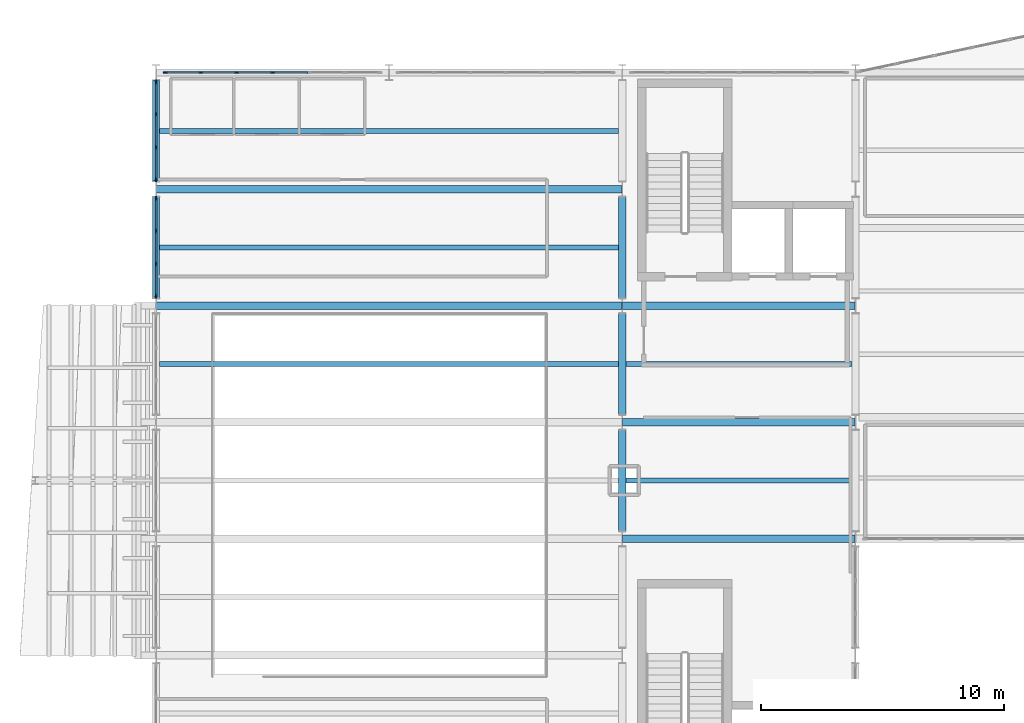
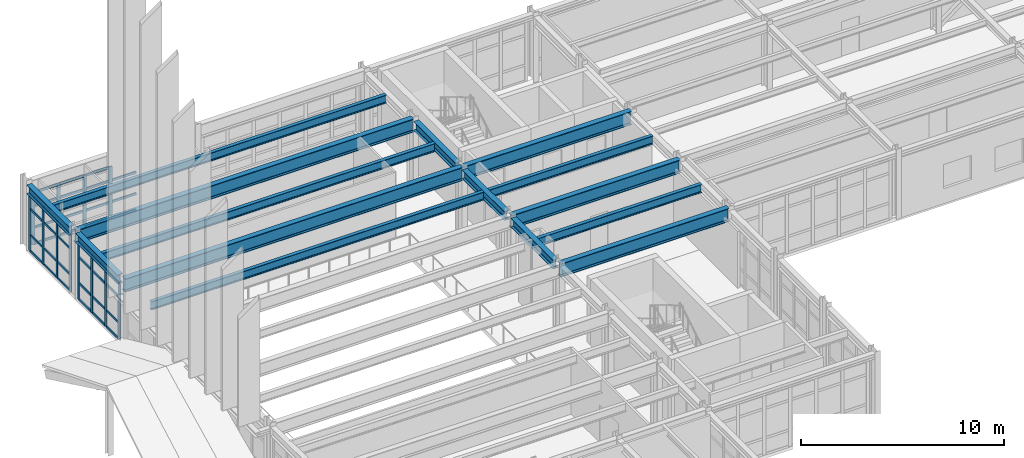
# One storey, part 44 of 99: 51 members, 15 beams, 3 elements without a shape of their own.
"""IFC4 building model written with IfcOpenShell, lengths in metres."""

import ifcopenshell
import ifcopenshell.guid

model = None  # the IFC model being written
_history = None  # IfcOwnerHistory: only IFC2X3 demands one
_inside = {}  # id of a spatial element -> (the spatial element, [elements in it])
_under = {}  # id of a project, library or spatial element -> (it, [spatial elements below it])
_declared = {}  # id of a project -> (the project, [libraries it declares])
_typed = {}  # id of a type object -> (the type object, [elements of that type])
_made_of = {}  # id of a material, layer set ... -> (it, [elements and type objects made of it])


def new_model(schema):
    """Start an empty IFC model of exactly this schema.

    Asked for "IFC4X3", IfcOpenShell would pick the latest addendum, in which some entities
    have other attributes; the version numbers below select the first issue.
    IFC2X3 requires an IfcOwnerHistory on every rooted entity: one is made here for all.
    """
    global model, _history
    if schema == "IFC4X3":
        model = ifcopenshell.file(schema_version=(4, 3, 0, 0))
    else:
        model = ifcopenshell.file(schema=schema)
    _inside.clear()
    _under.clear()
    _declared.clear()
    _typed.clear()
    _made_of.clear()
    _history = None
    if model.schema == "IFC2X3":
        org = make("IfcOrganization", Name="unknown")
        user = make(
            "IfcPersonAndOrganization",
            ThePerson=make("IfcPerson", FamilyName="unknown"),
            TheOrganization=org,
        )
        app = make(
            "IfcApplication",
            ApplicationDeveloper=org,
            Version="unknown",
            ApplicationFullName="unknown",
            ApplicationIdentifier="unknown",
        )
        _history = make(
            "IfcOwnerHistory",
            OwningUser=user,
            OwningApplication=app,
            ChangeAction="ADDED",
            CreationDate=0,
        )
    return model


def make(cls, **values):
    """One entity of the class cls with the attributes given. An attribute that is None is left unset."""
    return model.create_entity(
        cls, **{name: value for name, value in values.items() if value is not None}
    )


def rooted(cls, **values):
    """An entity with a GlobalId (a new one), such as an element, a storey or a relation."""
    return make(cls, GlobalId=ifcopenshell.guid.new(), OwnerHistory=_history, **values)


def si_unit(unit_type, name, prefix=None):
    """IfcSIUnit, for example si_unit("LENGTHUNIT", "METRE", prefix="MILLI")."""
    return make("IfcSIUnit", UnitType=unit_type, Prefix=prefix, Name=name)


def assignment(units):
    """IfcUnitAssignment: the units of a project."""
    return None if units is None else make("IfcUnitAssignment", Units=units)


def point(xyz):
    """IfcCartesianPoint."""
    return None if xyz is None else make("IfcCartesianPoint", Coordinates=xyz)


def direction(xyz):
    """IfcDirection."""
    return None if xyz is None else make("IfcDirection", DirectionRatios=xyz)


def frame(location, z_axis=None, x_axis=None):
    """IfcAxis2Placement3D, a coordinate frame: its origin and axes. An axis left out is left unset."""
    return make(
        "IfcAxis2Placement3D",
        Location=point(location),
        Axis=direction(z_axis),
        RefDirection=direction(x_axis),
    )


def frame_2d(location, x_axis=None):
    """IfcAxis2Placement2D, a coordinate frame in the plane: its origin and x axis."""
    return make(
        "IfcAxis2Placement2D", Location=point(location), RefDirection=direction(x_axis)
    )


def origin():
    """The frame at (0, 0, 0) with its axes left unset."""
    return frame((0.0, 0.0, 0.0))


def origin_2d():
    """The frame at (0, 0) in the plane with its x axis left unset."""
    return frame_2d((0.0, 0.0))


def place(relative_to, where):
    """IfcLocalPlacement: puts the frame where relative to a parent placement (None: the world)."""
    return make(
        "IfcLocalPlacement", PlacementRelTo=relative_to, RelativePlacement=where
    )


def context(
    kind, dimensions, precision=None, world=None, true_north=None, identifier=None
):
    """IfcGeometricRepresentationContext, for example the 3D "Model" context."""
    return make(
        "IfcGeometricRepresentationContext",
        ContextIdentifier=identifier,
        ContextType=kind,
        CoordinateSpaceDimension=dimensions,
        Precision=precision,
        WorldCoordinateSystem=world,
        TrueNorth=true_north,
    )


def subcontext(parent, identifier, kind, view, scale=None):
    """IfcGeometricRepresentationSubContext, for example "Body" below "Model"."""
    return make(
        "IfcGeometricRepresentationSubContext",
        ContextIdentifier=identifier,
        ContextType=kind,
        ParentContext=parent,
        TargetScale=scale,
        TargetView=view,
    )


def project(units=None, contexts=None):
    """IfcProject with its units and contexts."""
    return rooted(
        "IfcProject",
        Name="project",
        RepresentationContexts=contexts,
        UnitsInContext=assignment(units),
    )


def spatial(cls, under=None, at=None, **own):
    """A site, building, storey or space (cls), placed at a placement, below another one or the project."""
    s = rooted(cls, ObjectPlacement=at, **own)
    if under is not None:
        _under.setdefault(under.id(), (under, []))[1].append(s)
    return s


def profile(cls, at=None, kind="AREA", **sizes):
    """A parametric profile (cls). Its sizes go by their IFC names, for example OverallWidth=200.0."""
    return make(cls, ProfileType=kind, Position=at, **sizes)


def rectangle(**sizes):
    """IfcRectangleProfileDef."""
    return profile("IfcRectangleProfileDef", **sizes)


def i_section(**sizes):
    """IfcIShapeProfileDef."""
    return profile("IfcIShapeProfileDef", **sizes)


def extrude(swept, where, along, depth):
    """IfcExtrudedAreaSolid: the profile swept, set in the frame where, extruded along a direction by depth."""
    return make(
        "IfcExtrudedAreaSolid",
        SweptArea=swept,
        Position=where,
        ExtrudedDirection=direction(along),
        Depth=depth,
    )


def shape(context_of_items, identifier, shape_type, items):
    """IfcShapeRepresentation: the items that make up one representation, for example the "Body"."""
    return make(
        "IfcShapeRepresentation",
        ContextOfItems=context_of_items,
        RepresentationIdentifier=identifier,
        RepresentationType=shape_type,
        Items=items,
    )


def material(Name=None, Category=None):
    """IfcMaterial."""
    return make("IfcMaterial", Name=Name, Category=Category)


def layer(
    of_material, thickness, ventilated=None, Name=None, Category=None, Priority=None
):
    """IfcMaterialLayer: one layer of a wall or slab, of a material (None: an air gap)."""
    return make(
        "IfcMaterialLayer",
        Material=of_material,
        LayerThickness=thickness,
        IsVentilated=ventilated,
        Name=Name,
        Category=Category,
        Priority=Priority,
    )


def layer_set(layers, Name=None):
    """IfcMaterialLayerSet."""
    return make("IfcMaterialLayerSet", MaterialLayers=layers, LayerSetName=Name)


def material_profile(
    of_material, cross_section, Name=None, Category=None, Priority=None
):
    """IfcMaterialProfile: a cross section and its material."""
    return make(
        "IfcMaterialProfile",
        Name=Name,
        Material=of_material,
        Profile=cross_section,
        Priority=Priority,
        Category=Category,
    )


def profile_set(profiles, Name=None, composite=None):
    """IfcMaterialProfileSet."""
    return make(
        "IfcMaterialProfileSet",
        Name=Name,
        MaterialProfiles=profiles,
        CompositeProfile=composite,
    )


def made_of(thing, what):
    """Note that an element or type object is made of a material, layer set ...; save() writes the relation."""
    if what is not None:
        _made_of.setdefault(what.id(), (what, []))[1].append(thing)
    return thing


def type_object(cls, material=None, **own):
    """A type object (cls), such as IfcWallType, which elements share."""
    return made_of(rooted(cls, **own), material)


def element(
    cls,
    number,
    at=None,
    inside=None,
    cuts=None,
    type_object=None,
    material=None,
    context=None,
    identifier="Body",
    shape_type=None,
    held_by="IfcProductDefinitionShape",
    body=None,
    shapes=None,
    **own,
):
    """One element of the class cls, such as IfcWall. Its Tag is "e" and its number.

    at: its placement. inside: the storey or other place that contains it. cuts: it is an
    opening in that element (IfcRelVoidsElement). A single representation is given by context,
    identifier, shape_type and body (its items); several are given by shapes. held_by: the class
    of the entity that holds the representations. save() writes the other relations.
    """
    e = rooted(cls, Tag="e%d" % number, ObjectPlacement=at, **own)
    if body is not None:
        shapes = [shape(context, identifier, shape_type, body)]
    if shapes is not None:
        e.Representation = make(held_by, Representations=shapes)
    if inside is not None:
        _inside.setdefault(inside.id(), (inside, []))[1].append(e)
    if cuts is not None:
        rooted(
            "IfcRelVoidsElement", RelatingBuildingElement=cuts, RelatedOpeningElement=e
        )
    if type_object is not None:
        _typed.setdefault(type_object.id(), (type_object, []))[1].append(e)
    return made_of(e, material)


def aggregate(whole, parts):
    """IfcRelAggregates: a whole, such as a stair, and the parts it consists of."""
    return rooted("IfcRelAggregates", RelatingObject=whole, RelatedObjects=parts)


def save(model, path):
    """Write the relations noted so far, then the file.

    IfcRelAggregates (storeys below a building ...), IfcRelContainedInSpatialStructure (elements
    in a storey), IfcRelDefinesByType, IfcRelAssociatesMaterial and IfcRelDeclares: one each for
    every whole, place, type object, material and project.
    """
    for whole, parts in _under.values():
        aggregate(whole, parts)
    for where, things in _inside.values():
        rooted(
            "IfcRelContainedInSpatialStructure",
            RelatedElements=things,
            RelatingStructure=where,
        )
    for kind, things in _typed.values():
        rooted("IfcRelDefinesByType", RelatedObjects=things, RelatingType=kind)
    for what, things in _made_of.values():
        rooted("IfcRelAssociatesMaterial", RelatedObjects=things, RelatingMaterial=what)
    for by, libraries in _declared.values():
        rooted("IfcRelDeclares", RelatingContext=by, RelatedDefinitions=libraries)
    model.write(path)


model = new_model("IFC4")

# Units and contexts
model_context = context("Model", 3, precision=1e-05, world=origin(), true_north=direction((0.0, 1.0)))
body_context = subcontext(model_context, "Body", "Model", "MODEL_VIEW")
ifc_project = project(units=[si_unit("LENGTHUNIT", "METRE"), si_unit("AREAUNIT", "SQUARE_METRE"), si_unit("VOLUMEUNIT", "CUBIC_METRE"), si_unit("PLANEANGLEUNIT", "RADIAN"), si_unit("MASSUNIT", "GRAM", prefix="KILO")], contexts=[model_context])

# Site, building, storey
site_placement = place(None, origin())
site = spatial("IfcSite", under=ifc_project, at=site_placement, CompositionType="ELEMENT")
building_placement = place(site_placement, origin())
building = spatial("IfcBuilding", under=site, at=building_placement, Name="Nordkorset Police Headquarters", CompositionType="ELEMENT")
storey_placement = place(building_placement, frame((0.0, 0.0, 5.25)))
storey = spatial("IfcBuildingStorey", under=building, at=storey_placement, Name="L01", CompositionType="ELEMENT", Elevation=5.25)

# Beams
ifc_material_1 = material(Name="Steel S355J2", Category="steel")
ifc_material_profile_1 = material_profile(ifc_material_1, i_section(OverallWidth=0.199951171875, OverallDepth=0.5, WebThickness=0.01025390625, FlangeThickness=0.01611328125, FilletRadius=0.02099609375, at=origin_2d()), Name="IPE 500")
ifc_profile_set_1 = profile_set([ifc_material_profile_1], Name="Steel S355J2")
beam_type_1 = type_object("IfcBeamType", Name="Beam_IPE_500", PredefinedType="BEAM", material=ifc_profile_set_1)
for number, where, z_axis, x_axis, name in (
    (1, (0.14990234375, 104.800048828125, 3.7099609375), (1.0, 0.0, 0.0), (0.0, 1.0, 0.0), "Composite Floor Beam V1 L01 0-4-1"),
    (2, (0.14990234375, 109.60009765625, 3.7099609375), (1.0, 0.0, 0.0), (0.0, 1.0, 0.0), "Composite Floor Beam V1 L01 0-5-1"),
    (3, (0.14990234375, 114.39990234375, 3.7099609375), (1.0, 0.0, 0.0), (0.0, 1.0, 0.0), "Composite Floor Beam V1 L01 0-6-1"),
):
    element("IfcBeam", number, at=place(storey_placement, frame(where, z_axis=z_axis, x_axis=x_axis)), inside=storey, type_object=beam_type_1, Name=name, PredefinedType="BEAM", context=body_context, shape_type="SweptSolid", body=[
        extrude(i_section(OverallWidth=0.199951171875, OverallDepth=0.5, WebThickness=0.01025390625, FlangeThickness=0.01611328125, FilletRadius=0.02099609375, at=origin_2d()), origin(), (0.0, 0.0, 1.0), 18.900146484375),
    ])
for number, where, z_axis, x_axis, name in (
    (4, (19.35009765625, 100.0, 3.7099609375), (1.0, 0.0, 0.0), (0.0, 1.0, 0.0), "Composite Floor Beam V1 L01 1-3-1"),
    (5, (19.35009765625, 104.800048828125, 3.7099609375), (1.0, 0.0, 0.0), (0.0, 1.0, 0.0), "Composite Floor Beam V1 L01 1-4-1"),
):
    element("IfcBeam", number, at=place(storey_placement, frame(where, z_axis=z_axis, x_axis=x_axis)), inside=storey, type_object=beam_type_1, Name=name, PredefinedType="BEAM", context=body_context, shape_type="SweptSolid", body=[
        extrude(i_section(OverallWidth=0.199951171875, OverallDepth=0.5, WebThickness=0.01025390625, FlangeThickness=0.01611328125, FilletRadius=0.02099609375, at=origin_2d()), origin(), (0.0, 0.0, 1.0), 9.2998046875),
    ])

# Curtain wall, members
ifc_material_2 = material(Name="Aluminium alloy AW-6060", Category="aluminium")
ifc_layer_1 = layer(ifc_material_2, 0.179931640625, Name="Aluminium alloy AW-6060")
ifc_layer_set_1 = layer_set([ifc_layer_1], Name="Aluminium alloy AW-6060")
curtain_wall_type_1 = type_object("IfcCurtainWallType", Name="CW_Unit_408x340", PredefinedType="USERDEFINED", material=ifc_layer_set_1)
curtain_wall_1_placement = place(storey_placement, origin())
curtain_wall_1 = element("IfcCurtainWall", 6, at=curtain_wall_1_placement, inside=storey, type_object=curtain_wall_type_1, Name="Unitised Curtain Wall L01 V1W-5", ObjectType="UNITISED CURTAIN WALL", PredefinedType="USERDEFINED")
ifc_material_3 = material(Name="Aluminium alloy AW-6060", Category="aluminium")
ifc_material_profile_2 = material_profile(ifc_material_3, rectangle(XDim=0.06494140625, YDim=0.179931640625, at=origin_2d()), Name="ALU MULL 65x180")
ifc_profile_set_2 = profile_set([ifc_material_profile_2], Name="Aluminium alloy AW-6060")
member_type_1 = type_object("IfcMemberType", Name="CW_Mullion_65x180", PredefinedType="MULLION", material=ifc_profile_set_2)
member_1_placement = place(storey_placement, frame((0.0, 107.592529296875, 0.0), z_axis=(0.0, 0.0, 1.0), x_axis=(-1.0, 0.0, 0.0)))
member_1 = element("IfcMember", 7, at=member_1_placement, type_object=member_type_1, Name="CW-75 mullion 1", PredefinedType="MULLION", context=body_context, shape_type="SweptSolid", body=[
    extrude(rectangle(XDim=0.06494140625, YDim=0.179931640625, at=origin_2d()), origin(), (0.0, 0.0, 1.0), 3.39990234375),
])
member_2_placement = place(storey_placement, frame((0.0, 108.919921875, 0.0), z_axis=(0.0, 0.0, 1.0), x_axis=(-1.0, 0.0, 0.0)))
member_2 = element("IfcMember", 8, at=member_2_placement, type_object=member_type_1, Name="CW-75 mullion 2", PredefinedType="MULLION", context=body_context, shape_type="SweptSolid", body=[
    extrude(rectangle(XDim=0.06494140625, YDim=0.179931640625, at=origin_2d()), origin(), (0.0, 0.0, 1.0), 3.39990234375),
])
member_3_placement = place(storey_placement, frame((0.0, 110.280029296875, 0.0), z_axis=(0.0, 0.0, 1.0), x_axis=(-1.0, 0.0, 0.0)))
member_3 = element("IfcMember", 9, at=member_3_placement, type_object=member_type_1, Name="CW-75 mullion 3", PredefinedType="MULLION", context=body_context, shape_type="SweptSolid", body=[
    extrude(rectangle(XDim=0.06494140625, YDim=0.179931640625, at=origin_2d()), origin(), (0.0, 0.0, 1.0), 3.39990234375),
])
member_4_placement = place(storey_placement, frame((0.0, 111.607421875, 0.0), z_axis=(0.0, 0.0, 1.0), x_axis=(-1.0, 0.0, 0.0)))
member_4 = element("IfcMember", 10, at=member_4_placement, type_object=member_type_1, Name="CW-75 mullion 4", PredefinedType="MULLION", context=body_context, shape_type="SweptSolid", body=[
    extrude(rectangle(XDim=0.06494140625, YDim=0.179931640625, at=origin_2d()), origin(), (0.0, 0.0, 1.0), 3.39990234375),
])

curtain_wall_2_placement = place(storey_placement, origin())
curtain_wall_2 = element("IfcCurtainWall", 11, at=curtain_wall_2_placement, inside=storey, type_object=curtain_wall_type_1, Name="Unitised Curtain Wall L01 V1W-6", ObjectType="UNITISED CURTAIN WALL", PredefinedType="USERDEFINED")
member_5_placement = place(storey_placement, frame((0.0, 112.392578125, 0.0), z_axis=(0.0, 0.0, 1.0), x_axis=(-1.0, 0.0, 0.0)))
member_5 = element("IfcMember", 12, at=member_5_placement, type_object=member_type_1, Name="CW-75 mullion 1", PredefinedType="MULLION", context=body_context, shape_type="SweptSolid", body=[
    extrude(rectangle(XDim=0.06494140625, YDim=0.179931640625, at=origin_2d()), origin(), (0.0, 0.0, 1.0), 3.39990234375),
])
member_6_placement = place(storey_placement, frame((0.0, 113.719970703125, 0.0), z_axis=(0.0, 0.0, 1.0), x_axis=(-1.0, 0.0, 0.0)))
member_6 = element("IfcMember", 13, at=member_6_placement, type_object=member_type_1, Name="CW-75 mullion 2", PredefinedType="MULLION", context=body_context, shape_type="SweptSolid", body=[
    extrude(rectangle(XDim=0.06494140625, YDim=0.179931640625, at=origin_2d()), origin(), (0.0, 0.0, 1.0), 3.39990234375),
])
member_7_placement = place(storey_placement, frame((0.0, 115.080078125, 0.0), z_axis=(0.0, 0.0, 1.0), x_axis=(-1.0, 0.0, 0.0)))
member_7 = element("IfcMember", 14, at=member_7_placement, type_object=member_type_1, Name="CW-75 mullion 3", PredefinedType="MULLION", context=body_context, shape_type="SweptSolid", body=[
    extrude(rectangle(XDim=0.06494140625, YDim=0.179931640625, at=origin_2d()), origin(), (0.0, 0.0, 1.0), 3.39990234375),
])
member_8_placement = place(storey_placement, frame((0.0, 116.407470703125, 0.0), z_axis=(0.0, 0.0, 1.0), x_axis=(-1.0, 0.0, 0.0)))
member_8 = element("IfcMember", 15, at=member_8_placement, type_object=member_type_1, Name="CW-75 mullion 4", PredefinedType="MULLION", context=body_context, shape_type="SweptSolid", body=[
    extrude(rectangle(XDim=0.06494140625, YDim=0.179931640625, at=origin_2d()), origin(), (0.0, 0.0, 1.0), 3.39990234375),
])

ifc_material_4 = material(Name="Aluminium alloy AW-6060", Category="aluminium")
ifc_layer_2 = layer(ifc_material_4, 0.179931640625, Name="Aluminium alloy AW-6060")
ifc_layer_set_2 = layer_set([ifc_layer_2], Name="Aluminium alloy AW-6060")
curtain_wall_type_2 = type_object("IfcCurtainWallType", Name="CW_Unit_888x314", PredefinedType="USERDEFINED", material=ifc_layer_set_2)
curtain_wall_3_placement = place(storey_placement, origin())
curtain_wall_3 = element("IfcCurtainWall", 16, at=curtain_wall_3_placement, inside=storey, type_object=curtain_wall_type_2, Name="Unitised Curtain Wall L01 V1N-0", ObjectType="UNITISED CURTAIN WALL", PredefinedType="USERDEFINED")
member_9_placement = place(storey_placement, frame((0.392578125, 116.800048828125, 0.0), z_axis=(0.0, 0.0, 1.0), x_axis=(0.0, 1.0, 0.0)))
member_9 = element("IfcMember", 17, at=member_9_placement, type_object=member_type_1, Name="CW-59 mullion 1", PredefinedType="MULLION", context=body_context, shape_type="SweptSolid", body=[
    extrude(rectangle(XDim=0.06494140625, YDim=0.179931640625, at=origin_2d()), origin(), (0.0, 0.0, 1.0), 3.139892578125),
])
member_10_placement = place(storey_placement, frame((1.840087890625, 116.800048828125, 0.0), z_axis=(0.0, 0.0, 1.0), x_axis=(0.0, 1.0, 0.0)))
member_10 = element("IfcMember", 18, at=member_10_placement, type_object=member_type_1, Name="CW-59 mullion 2", PredefinedType="MULLION", context=body_context, shape_type="SweptSolid", body=[
    extrude(rectangle(XDim=0.06494140625, YDim=0.179931640625, at=origin_2d()), origin(), (0.0, 0.0, 1.0), 3.139892578125),
])
member_11_placement = place(storey_placement, frame((3.320068359375, 116.800048828125, 0.0), z_axis=(0.0, 0.0, 1.0), x_axis=(0.0, 1.0, 0.0)))
member_11 = element("IfcMember", 19, at=member_11_placement, type_object=member_type_1, Name="CW-59 mullion 3", PredefinedType="MULLION", context=body_context, shape_type="SweptSolid", body=[
    extrude(rectangle(XDim=0.06494140625, YDim=0.179931640625, at=origin_2d()), origin(), (0.0, 0.0, 1.0), 3.139892578125),
])
member_12_placement = place(storey_placement, frame((4.800048828125, 116.800048828125, 0.0), z_axis=(0.0, 0.0, 1.0), x_axis=(0.0, 1.0, 0.0)))
member_12 = element("IfcMember", 20, at=member_12_placement, type_object=member_type_1, Name="CW-59 mullion 4", PredefinedType="MULLION", context=body_context, shape_type="SweptSolid", body=[
    extrude(rectangle(XDim=0.06494140625, YDim=0.179931640625, at=origin_2d()), origin(), (0.0, 0.0, 1.0), 3.139892578125),
])

# Member
ifc_material_5 = material(Name="Aluminium alloy AW-6060", Category="aluminium")
ifc_material_profile_3 = material_profile(ifc_material_5, rectangle(XDim=0.06494140625, YDim=0.139892578125, at=origin_2d()), Name="ALU TRAN 65x140")
ifc_profile_set_3 = profile_set([ifc_material_profile_3], Name="Aluminium alloy AW-6060")
member_type_2 = type_object("IfcMemberType", Name="CW_Transom_65x140", PredefinedType="USERDEFINED", material=ifc_profile_set_3)
member_13_placement = place(storey_placement, frame((0.0, 107.625, 0.032470703125), z_axis=(0.0, 1.0, 0.0), x_axis=(-1.0, 0.0, 0.0)))
member_13 = element("IfcMember", 21, at=member_13_placement, type_object=member_type_2, Name="CW-75 transom 1.1", ObjectType="TRANSOM", PredefinedType="USERDEFINED", context=body_context, shape_type="SweptSolid", body=[
    extrude(rectangle(XDim=0.06494140625, YDim=0.139892578125, at=origin_2d()), origin(), (0.0, 0.0, 1.0), 1.262451171875),
])

member_14_placement = place(storey_placement, frame((0.0, 107.625, 1.0), z_axis=(0.0, 1.0, 0.0), x_axis=(-1.0, 0.0, 0.0)))
member_14 = element("IfcMember", 22, at=member_14_placement, type_object=member_type_2, Name="CW-75 transom 1.2", ObjectType="TRANSOM", PredefinedType="USERDEFINED", context=body_context, shape_type="SweptSolid", body=[
    extrude(rectangle(XDim=0.06494140625, YDim=0.139892578125, at=origin_2d()), origin(), (0.0, 0.0, 1.0), 1.262451171875),
])

member_15_placement = place(storey_placement, frame((0.0, 107.625, 2.550048828125), z_axis=(0.0, 1.0, 0.0), x_axis=(-1.0, 0.0, 0.0)))
member_15 = element("IfcMember", 23, at=member_15_placement, type_object=member_type_2, Name="CW-75 transom 1.3", ObjectType="TRANSOM", PredefinedType="USERDEFINED", context=body_context, shape_type="SweptSolid", body=[
    extrude(rectangle(XDim=0.06494140625, YDim=0.139892578125, at=origin_2d()), origin(), (0.0, 0.0, 1.0), 1.262451171875),
])

member_16_placement = place(storey_placement, frame((0.0, 107.625, 3.367431640625), z_axis=(0.0, 1.0, 0.0), x_axis=(-1.0, 0.0, 0.0)))
member_16 = element("IfcMember", 24, at=member_16_placement, type_object=member_type_2, Name="CW-75 transom 1.4", ObjectType="TRANSOM", PredefinedType="USERDEFINED", context=body_context, shape_type="SweptSolid", body=[
    extrude(rectangle(XDim=0.06494140625, YDim=0.139892578125, at=origin_2d()), origin(), (0.0, 0.0, 1.0), 1.262451171875),
])

member_17_placement = place(storey_placement, frame((0.0, 108.952392578125, 0.032470703125), z_axis=(0.0, 1.0, 0.0), x_axis=(-1.0, 0.0, 0.0)))
member_17 = element("IfcMember", 25, at=member_17_placement, type_object=member_type_2, Name="CW-75 transom 2.1", ObjectType="TRANSOM", PredefinedType="USERDEFINED", context=body_context, shape_type="SweptSolid", body=[
    extrude(rectangle(XDim=0.06494140625, YDim=0.139892578125, at=origin_2d()), origin(), (0.0, 0.0, 1.0), 1.295166015625),
])

member_18_placement = place(storey_placement, frame((0.0, 108.952392578125, 1.0), z_axis=(0.0, 1.0, 0.0), x_axis=(-1.0, 0.0, 0.0)))
member_18 = element("IfcMember", 26, at=member_18_placement, type_object=member_type_2, Name="CW-75 transom 2.2", ObjectType="TRANSOM", PredefinedType="USERDEFINED", context=body_context, shape_type="SweptSolid", body=[
    extrude(rectangle(XDim=0.06494140625, YDim=0.139892578125, at=origin_2d()), origin(), (0.0, 0.0, 1.0), 1.295166015625),
])

member_19_placement = place(storey_placement, frame((0.0, 108.952392578125, 2.550048828125), z_axis=(0.0, 1.0, 0.0), x_axis=(-1.0, 0.0, 0.0)))
member_19 = element("IfcMember", 27, at=member_19_placement, type_object=member_type_2, Name="CW-75 transom 2.3", ObjectType="TRANSOM", PredefinedType="USERDEFINED", context=body_context, shape_type="SweptSolid", body=[
    extrude(rectangle(XDim=0.06494140625, YDim=0.139892578125, at=origin_2d()), origin(), (0.0, 0.0, 1.0), 1.295166015625),
])

member_20_placement = place(storey_placement, frame((0.0, 108.952392578125, 3.367431640625), z_axis=(0.0, 1.0, 0.0), x_axis=(-1.0, 0.0, 0.0)))
member_20 = element("IfcMember", 28, at=member_20_placement, type_object=member_type_2, Name="CW-75 transom 2.4", ObjectType="TRANSOM", PredefinedType="USERDEFINED", context=body_context, shape_type="SweptSolid", body=[
    extrude(rectangle(XDim=0.06494140625, YDim=0.139892578125, at=origin_2d()), origin(), (0.0, 0.0, 1.0), 1.295166015625),
])

member_21_placement = place(storey_placement, frame((0.0, 110.3125, 0.032470703125), z_axis=(0.0, 1.0, 0.0), x_axis=(-1.0, 0.0, 0.0)))
member_21 = element("IfcMember", 29, at=member_21_placement, type_object=member_type_2, Name="CW-75 transom 3.1", ObjectType="TRANSOM", PredefinedType="USERDEFINED", context=body_context, shape_type="SweptSolid", body=[
    extrude(rectangle(XDim=0.06494140625, YDim=0.139892578125, at=origin_2d()), origin(), (0.0, 0.0, 1.0), 1.262451171875),
])

member_22_placement = place(storey_placement, frame((0.0, 110.3125, 1.0), z_axis=(0.0, 1.0, 0.0), x_axis=(-1.0, 0.0, 0.0)))
member_22 = element("IfcMember", 30, at=member_22_placement, type_object=member_type_2, Name="CW-75 transom 3.2", ObjectType="TRANSOM", PredefinedType="USERDEFINED", context=body_context, shape_type="SweptSolid", body=[
    extrude(rectangle(XDim=0.06494140625, YDim=0.139892578125, at=origin_2d()), origin(), (0.0, 0.0, 1.0), 1.262451171875),
])

member_23_placement = place(storey_placement, frame((0.0, 110.3125, 2.550048828125), z_axis=(0.0, 1.0, 0.0), x_axis=(-1.0, 0.0, 0.0)))
member_23 = element("IfcMember", 31, at=member_23_placement, type_object=member_type_2, Name="CW-75 transom 3.3", ObjectType="TRANSOM", PredefinedType="USERDEFINED", context=body_context, shape_type="SweptSolid", body=[
    extrude(rectangle(XDim=0.06494140625, YDim=0.139892578125, at=origin_2d()), origin(), (0.0, 0.0, 1.0), 1.262451171875),
])

member_24_placement = place(storey_placement, frame((0.0, 110.3125, 3.367431640625), z_axis=(0.0, 1.0, 0.0), x_axis=(-1.0, 0.0, 0.0)))
member_24 = element("IfcMember", 32, at=member_24_placement, type_object=member_type_2, Name="CW-75 transom 3.4", ObjectType="TRANSOM", PredefinedType="USERDEFINED", context=body_context, shape_type="SweptSolid", body=[
    extrude(rectangle(XDim=0.06494140625, YDim=0.139892578125, at=origin_2d()), origin(), (0.0, 0.0, 1.0), 1.262451171875),
])

aggregate(curtain_wall_1, [member_1, member_2, member_3, member_4, member_13, member_14, member_15, member_16, member_17, member_18, member_19, member_20, member_21, member_22, member_23, member_24])

member_25_placement = place(storey_placement, frame((0.0, 112.425048828125, 0.032470703125), z_axis=(0.0, 1.0, 0.0), x_axis=(-1.0, 0.0, 0.0)))
member_25 = element("IfcMember", 33, at=member_25_placement, type_object=member_type_2, Name="CW-75 transom 1.1", ObjectType="TRANSOM", PredefinedType="USERDEFINED", context=body_context, shape_type="SweptSolid", body=[
    extrude(rectangle(XDim=0.06494140625, YDim=0.139892578125, at=origin_2d()), origin(), (0.0, 0.0, 1.0), 1.262451171875),
])

member_26_placement = place(storey_placement, frame((0.0, 112.425048828125, 1.0), z_axis=(0.0, 1.0, 0.0), x_axis=(-1.0, 0.0, 0.0)))
member_26 = element("IfcMember", 34, at=member_26_placement, type_object=member_type_2, Name="CW-75 transom 1.2", ObjectType="TRANSOM", PredefinedType="USERDEFINED", context=body_context, shape_type="SweptSolid", body=[
    extrude(rectangle(XDim=0.06494140625, YDim=0.139892578125, at=origin_2d()), origin(), (0.0, 0.0, 1.0), 1.262451171875),
])

member_27_placement = place(storey_placement, frame((0.0, 112.425048828125, 2.550048828125), z_axis=(0.0, 1.0, 0.0), x_axis=(-1.0, 0.0, 0.0)))
member_27 = element("IfcMember", 35, at=member_27_placement, type_object=member_type_2, Name="CW-75 transom 1.3", ObjectType="TRANSOM", PredefinedType="USERDEFINED", context=body_context, shape_type="SweptSolid", body=[
    extrude(rectangle(XDim=0.06494140625, YDim=0.139892578125, at=origin_2d()), origin(), (0.0, 0.0, 1.0), 1.262451171875),
])

member_28_placement = place(storey_placement, frame((0.0, 112.425048828125, 3.367431640625), z_axis=(0.0, 1.0, 0.0), x_axis=(-1.0, 0.0, 0.0)))
member_28 = element("IfcMember", 36, at=member_28_placement, type_object=member_type_2, Name="CW-75 transom 1.4", ObjectType="TRANSOM", PredefinedType="USERDEFINED", context=body_context, shape_type="SweptSolid", body=[
    extrude(rectangle(XDim=0.06494140625, YDim=0.139892578125, at=origin_2d()), origin(), (0.0, 0.0, 1.0), 1.262451171875),
])

member_29_placement = place(storey_placement, frame((0.0, 113.75244140625, 0.032470703125), z_axis=(0.0, 1.0, 0.0), x_axis=(-1.0, 0.0, 0.0)))
member_29 = element("IfcMember", 37, at=member_29_placement, type_object=member_type_2, Name="CW-75 transom 2.1", ObjectType="TRANSOM", PredefinedType="USERDEFINED", context=body_context, shape_type="SweptSolid", body=[
    extrude(rectangle(XDim=0.06494140625, YDim=0.139892578125, at=origin_2d()), origin(), (0.0, 0.0, 1.0), 1.295166015625),
])

member_30_placement = place(storey_placement, frame((0.0, 113.75244140625, 1.0), z_axis=(0.0, 1.0, 0.0), x_axis=(-1.0, 0.0, 0.0)))
member_30 = element("IfcMember", 38, at=member_30_placement, type_object=member_type_2, Name="CW-75 transom 2.2", ObjectType="TRANSOM", PredefinedType="USERDEFINED", context=body_context, shape_type="SweptSolid", body=[
    extrude(rectangle(XDim=0.06494140625, YDim=0.139892578125, at=origin_2d()), origin(), (0.0, 0.0, 1.0), 1.295166015625),
])

member_31_placement = place(storey_placement, frame((0.0, 113.75244140625, 2.550048828125), z_axis=(0.0, 1.0, 0.0), x_axis=(-1.0, 0.0, 0.0)))
member_31 = element("IfcMember", 39, at=member_31_placement, type_object=member_type_2, Name="CW-75 transom 2.3", ObjectType="TRANSOM", PredefinedType="USERDEFINED", context=body_context, shape_type="SweptSolid", body=[
    extrude(rectangle(XDim=0.06494140625, YDim=0.139892578125, at=origin_2d()), origin(), (0.0, 0.0, 1.0), 1.295166015625),
])

member_32_placement = place(storey_placement, frame((0.0, 113.75244140625, 3.367431640625), z_axis=(0.0, 1.0, 0.0), x_axis=(-1.0, 0.0, 0.0)))
member_32 = element("IfcMember", 40, at=member_32_placement, type_object=member_type_2, Name="CW-75 transom 2.4", ObjectType="TRANSOM", PredefinedType="USERDEFINED", context=body_context, shape_type="SweptSolid", body=[
    extrude(rectangle(XDim=0.06494140625, YDim=0.139892578125, at=origin_2d()), origin(), (0.0, 0.0, 1.0), 1.295166015625),
])

member_33_placement = place(storey_placement, frame((0.0, 115.112548828125, 0.032470703125), z_axis=(0.0, 1.0, 0.0), x_axis=(-1.0, 0.0, 0.0)))
member_33 = element("IfcMember", 41, at=member_33_placement, type_object=member_type_2, Name="CW-75 transom 3.1", ObjectType="TRANSOM", PredefinedType="USERDEFINED", context=body_context, shape_type="SweptSolid", body=[
    extrude(rectangle(XDim=0.06494140625, YDim=0.139892578125, at=origin_2d()), origin(), (0.0, 0.0, 1.0), 1.262451171875),
])

member_34_placement = place(storey_placement, frame((0.0, 115.112548828125, 1.0), z_axis=(0.0, 1.0, 0.0), x_axis=(-1.0, 0.0, 0.0)))
member_34 = element("IfcMember", 42, at=member_34_placement, type_object=member_type_2, Name="CW-75 transom 3.2", ObjectType="TRANSOM", PredefinedType="USERDEFINED", context=body_context, shape_type="SweptSolid", body=[
    extrude(rectangle(XDim=0.06494140625, YDim=0.139892578125, at=origin_2d()), origin(), (0.0, 0.0, 1.0), 1.262451171875),
])

member_35_placement = place(storey_placement, frame((0.0, 115.112548828125, 2.550048828125), z_axis=(0.0, 1.0, 0.0), x_axis=(-1.0, 0.0, 0.0)))
member_35 = element("IfcMember", 43, at=member_35_placement, type_object=member_type_2, Name="CW-75 transom 3.3", ObjectType="TRANSOM", PredefinedType="USERDEFINED", context=body_context, shape_type="SweptSolid", body=[
    extrude(rectangle(XDim=0.06494140625, YDim=0.139892578125, at=origin_2d()), origin(), (0.0, 0.0, 1.0), 1.262451171875),
])

member_36_placement = place(storey_placement, frame((0.0, 115.112548828125, 3.367431640625), z_axis=(0.0, 1.0, 0.0), x_axis=(-1.0, 0.0, 0.0)))
member_36 = element("IfcMember", 44, at=member_36_placement, type_object=member_type_2, Name="CW-75 transom 3.4", ObjectType="TRANSOM", PredefinedType="USERDEFINED", context=body_context, shape_type="SweptSolid", body=[
    extrude(rectangle(XDim=0.06494140625, YDim=0.139892578125, at=origin_2d()), origin(), (0.0, 0.0, 1.0), 1.262451171875),
])

aggregate(curtain_wall_2, [member_5, member_6, member_7, member_8, member_25, member_26, member_27, member_28, member_29, member_30, member_31, member_32, member_33, member_34, member_35, member_36])

member_37_placement = place(storey_placement, frame((0.425048828125, 116.800048828125, 0.032470703125), z_axis=(1.0, 0.0, 0.0), x_axis=(0.0, 1.0, 0.0)))
member_37 = element("IfcMember", 45, at=member_37_placement, type_object=member_type_2, Name="CW-59 transom 1.1", ObjectType="TRANSOM", PredefinedType="USERDEFINED", context=body_context, shape_type="SweptSolid", body=[
    extrude(rectangle(XDim=0.06494140625, YDim=0.139892578125, at=origin_2d()), origin(), (0.0, 0.0, 1.0), 1.382568359375),
])

member_38_placement = place(storey_placement, frame((0.425048828125, 116.800048828125, 1.0), z_axis=(1.0, 0.0, 0.0), x_axis=(0.0, 1.0, 0.0)))
member_38 = element("IfcMember", 46, at=member_38_placement, type_object=member_type_2, Name="CW-59 transom 1.2", ObjectType="TRANSOM", PredefinedType="USERDEFINED", context=body_context, shape_type="SweptSolid", body=[
    extrude(rectangle(XDim=0.06494140625, YDim=0.139892578125, at=origin_2d()), origin(), (0.0, 0.0, 1.0), 1.382568359375),
])

member_39_placement = place(storey_placement, frame((0.425048828125, 116.800048828125, 2.2900390625), z_axis=(1.0, 0.0, 0.0), x_axis=(0.0, 1.0, 0.0)))
member_39 = element("IfcMember", 47, at=member_39_placement, type_object=member_type_2, Name="CW-59 transom 1.3", ObjectType="TRANSOM", PredefinedType="USERDEFINED", context=body_context, shape_type="SweptSolid", body=[
    extrude(rectangle(XDim=0.06494140625, YDim=0.139892578125, at=origin_2d()), origin(), (0.0, 0.0, 1.0), 1.382568359375),
])

member_40_placement = place(storey_placement, frame((0.425048828125, 116.800048828125, 3.107421875), z_axis=(1.0, 0.0, 0.0), x_axis=(0.0, 1.0, 0.0)))
member_40 = element("IfcMember", 48, at=member_40_placement, type_object=member_type_2, Name="CW-59 transom 1.4", ObjectType="TRANSOM", PredefinedType="USERDEFINED", context=body_context, shape_type="SweptSolid", body=[
    extrude(rectangle(XDim=0.06494140625, YDim=0.139892578125, at=origin_2d()), origin(), (0.0, 0.0, 1.0), 1.382568359375),
])

member_41_placement = place(storey_placement, frame((1.87255859375, 116.800048828125, 0.032470703125), z_axis=(1.0, 0.0, 0.0), x_axis=(0.0, 1.0, 0.0)))
member_41 = element("IfcMember", 49, at=member_41_placement, type_object=member_type_2, Name="CW-59 transom 2.1", ObjectType="TRANSOM", PredefinedType="USERDEFINED", context=body_context, shape_type="SweptSolid", body=[
    extrude(rectangle(XDim=0.06494140625, YDim=0.139892578125, at=origin_2d()), origin(), (0.0, 0.0, 1.0), 1.4150390625),
])

member_42_placement = place(storey_placement, frame((1.87255859375, 116.800048828125, 1.0), z_axis=(1.0, 0.0, 0.0), x_axis=(0.0, 1.0, 0.0)))
member_42 = element("IfcMember", 50, at=member_42_placement, type_object=member_type_2, Name="CW-59 transom 2.2", ObjectType="TRANSOM", PredefinedType="USERDEFINED", context=body_context, shape_type="SweptSolid", body=[
    extrude(rectangle(XDim=0.06494140625, YDim=0.139892578125, at=origin_2d()), origin(), (0.0, 0.0, 1.0), 1.4150390625),
])

member_43_placement = place(storey_placement, frame((1.87255859375, 116.800048828125, 2.2900390625), z_axis=(1.0, 0.0, 0.0), x_axis=(0.0, 1.0, 0.0)))
member_43 = element("IfcMember", 51, at=member_43_placement, type_object=member_type_2, Name="CW-59 transom 2.3", ObjectType="TRANSOM", PredefinedType="USERDEFINED", context=body_context, shape_type="SweptSolid", body=[
    extrude(rectangle(XDim=0.06494140625, YDim=0.139892578125, at=origin_2d()), origin(), (0.0, 0.0, 1.0), 1.4150390625),
])

member_44_placement = place(storey_placement, frame((1.87255859375, 116.800048828125, 3.107421875), z_axis=(1.0, 0.0, 0.0), x_axis=(0.0, 1.0, 0.0)))
member_44 = element("IfcMember", 52, at=member_44_placement, type_object=member_type_2, Name="CW-59 transom 2.4", ObjectType="TRANSOM", PredefinedType="USERDEFINED", context=body_context, shape_type="SweptSolid", body=[
    extrude(rectangle(XDim=0.06494140625, YDim=0.139892578125, at=origin_2d()), origin(), (0.0, 0.0, 1.0), 1.4150390625),
])

member_45_placement = place(storey_placement, frame((3.3525390625, 116.800048828125, 0.032470703125), z_axis=(1.0, 0.0, 0.0), x_axis=(0.0, 1.0, 0.0)))
member_45 = element("IfcMember", 53, at=member_45_placement, type_object=member_type_2, Name="CW-59 transom 3.1", ObjectType="TRANSOM", PredefinedType="USERDEFINED", context=body_context, shape_type="SweptSolid", body=[
    extrude(rectangle(XDim=0.06494140625, YDim=0.139892578125, at=origin_2d()), origin(), (0.0, 0.0, 1.0), 1.4150390625),
])

member_46_placement = place(storey_placement, frame((3.3525390625, 116.800048828125, 1.0), z_axis=(1.0, 0.0, 0.0), x_axis=(0.0, 1.0, 0.0)))
member_46 = element("IfcMember", 54, at=member_46_placement, type_object=member_type_2, Name="CW-59 transom 3.2", ObjectType="TRANSOM", PredefinedType="USERDEFINED", context=body_context, shape_type="SweptSolid", body=[
    extrude(rectangle(XDim=0.06494140625, YDim=0.139892578125, at=origin_2d()), origin(), (0.0, 0.0, 1.0), 1.4150390625),
])

member_47_placement = place(storey_placement, frame((3.3525390625, 116.800048828125, 2.2900390625), z_axis=(1.0, 0.0, 0.0), x_axis=(0.0, 1.0, 0.0)))
member_47 = element("IfcMember", 55, at=member_47_placement, type_object=member_type_2, Name="CW-59 transom 3.3", ObjectType="TRANSOM", PredefinedType="USERDEFINED", context=body_context, shape_type="SweptSolid", body=[
    extrude(rectangle(XDim=0.06494140625, YDim=0.139892578125, at=origin_2d()), origin(), (0.0, 0.0, 1.0), 1.4150390625),
])

member_48_placement = place(storey_placement, frame((3.3525390625, 116.800048828125, 3.107421875), z_axis=(1.0, 0.0, 0.0), x_axis=(0.0, 1.0, 0.0)))
member_48 = element("IfcMember", 56, at=member_48_placement, type_object=member_type_2, Name="CW-59 transom 3.4", ObjectType="TRANSOM", PredefinedType="USERDEFINED", context=body_context, shape_type="SweptSolid", body=[
    extrude(rectangle(XDim=0.06494140625, YDim=0.139892578125, at=origin_2d()), origin(), (0.0, 0.0, 1.0), 1.4150390625),
])

member_49_placement = place(storey_placement, frame((4.83251953125, 116.800048828125, 0.032470703125), z_axis=(1.0, 0.0, 0.0), x_axis=(0.0, 1.0, 0.0)))
member_49 = element("IfcMember", 57, at=member_49_placement, type_object=member_type_2, Name="CW-59 transom 4.1", ObjectType="TRANSOM", PredefinedType="USERDEFINED", context=body_context, shape_type="SweptSolid", body=[
    extrude(rectangle(XDim=0.06494140625, YDim=0.139892578125, at=origin_2d()), origin(), (0.0, 0.0, 1.0), 1.4150390625),
])

member_50_placement = place(storey_placement, frame((4.83251953125, 116.800048828125, 1.0), z_axis=(1.0, 0.0, 0.0), x_axis=(0.0, 1.0, 0.0)))
member_50 = element("IfcMember", 58, at=member_50_placement, type_object=member_type_2, Name="CW-59 transom 4.2", ObjectType="TRANSOM", PredefinedType="USERDEFINED", context=body_context, shape_type="SweptSolid", body=[
    extrude(rectangle(XDim=0.06494140625, YDim=0.139892578125, at=origin_2d()), origin(), (0.0, 0.0, 1.0), 1.4150390625),
])

member_51_placement = place(storey_placement, frame((4.83251953125, 116.800048828125, 2.2900390625), z_axis=(1.0, 0.0, 0.0), x_axis=(0.0, 1.0, 0.0)))
member_51 = element("IfcMember", 59, at=member_51_placement, type_object=member_type_2, Name="CW-59 transom 4.3", ObjectType="TRANSOM", PredefinedType="USERDEFINED", context=body_context, shape_type="SweptSolid", body=[
    extrude(rectangle(XDim=0.06494140625, YDim=0.139892578125, at=origin_2d()), origin(), (0.0, 0.0, 1.0), 1.4150390625),
])

aggregate(curtain_wall_3, [member_9, member_10, member_11, member_12, member_37, member_38, member_39, member_40, member_41, member_42, member_43, member_44, member_45, member_46, member_47, member_48, member_49, member_50, member_51])

# Beams
ifc_material_6 = material(Name="Steel S355J2", Category="steel")
ifc_material_profile_4 = material_profile(ifc_material_6, i_section(OverallWidth=0.300048828125, OverallDepth=0.5400390625, WebThickness=0.012451171875, FlangeThickness=0.02392578125, FilletRadius=0.027099609375, at=origin_2d()), Name="HEA 550")
ifc_profile_set_4 = profile_set([ifc_material_profile_4], Name="Steel S355J2")
beam_type_2 = type_object("IfcBeamType", Name="Girder_HEA_550", PredefinedType="USERDEFINED", material=ifc_profile_set_4)
for number, where, z_axis, x_axis, name in (
    (60, (0.0, 107.52490234375, 3.68994140625), (0.0, 1.0, 0.0), (-1.0, 0.0, 0.0), "Girder V1 L01 GY-0-5"),
    (61, (0.0, 112.324951171875, 3.68994140625), (0.0, 1.0, 0.0), (-1.0, 0.0, 0.0), "Girder V1 L01 GY-0-6"),
):
    element("IfcBeam", number, at=place(storey_placement, frame(where, z_axis=z_axis, x_axis=x_axis)), inside=storey, type_object=beam_type_2, Name=name, ObjectType="GIRDER", PredefinedType="USERDEFINED", context=body_context, shape_type="SweptSolid", body=[
        extrude(i_section(OverallWidth=0.300048828125, OverallDepth=0.5400390625, WebThickness=0.012451171875, FlangeThickness=0.02392578125, FilletRadius=0.027099609375, at=origin_2d()), origin(), (0.0, 0.0, 1.0), 4.150146484375),
    ])
for number, where, z_axis, x_axis, name in (
    (62, (19.199951171875, 97.925048828125, 3.68994140625), (0.0, 1.0, 0.0), (-1.0, 0.0, 0.0), "Girder V1 L01 GY-1-3"),
    (63, (19.199951171875, 102.72509765625, 3.68994140625), (0.0, 1.0, 0.0), (-1.0, 0.0, 0.0), "Girder V1 L01 GY-1-4"),
):
    element("IfcBeam", number, at=place(storey_placement, frame(where, z_axis=z_axis, x_axis=x_axis)), inside=storey, type_object=beam_type_2, Name=name, ObjectType="GIRDER", PredefinedType="USERDEFINED", context=body_context, shape_type="SweptSolid", body=[
        extrude(i_section(OverallWidth=0.300048828125, OverallDepth=0.5400390625, WebThickness=0.012451171875, FlangeThickness=0.02392578125, FilletRadius=0.027099609375, at=origin_2d()), origin(), (0.0, 0.0, 1.0), 4.14990234375),
    ])
beam_1_placement = place(storey_placement, frame((19.199951171875, 107.52490234375, 3.68994140625), z_axis=(0.0, 1.0, 0.0), x_axis=(-1.0, 0.0, 0.0)))
element("IfcBeam", 64, at=beam_1_placement, inside=storey, type_object=beam_type_2, Name="Girder V1 L01 GY-1-5", ObjectType="GIRDER", PredefinedType="USERDEFINED", context=body_context, shape_type="SweptSolid", body=[
    extrude(i_section(OverallWidth=0.300048828125, OverallDepth=0.5400390625, WebThickness=0.012451171875, FlangeThickness=0.02392578125, FilletRadius=0.027099609375, at=origin_2d()), origin(), (0.0, 0.0, 1.0), 4.150146484375),
])
ifc_material_7 = material(Name="Steel S355J2", Category="steel")
ifc_material_profile_5 = material_profile(ifc_material_7, i_section(OverallWidth=0.300048828125, OverallDepth=0.800048828125, WebThickness=0.017578125, FlangeThickness=0.032958984375, FilletRadius=0.030029296875, at=origin_2d()), Name="HEB 800")
ifc_profile_set_5 = profile_set([ifc_material_profile_5], Name="Steel S355J2")
beam_type_3 = type_object("IfcBeamType", Name="Girder_HEB_800", PredefinedType="USERDEFINED", material=ifc_profile_set_5)
for number, where, z_axis, x_axis, name in (
    (65, (19.2080078125, 97.60009765625, 3.56005859375), (1.0, 0.0, 0.0), (0.0, 1.0, 0.0), "Girder V1 L01 GX-3-1"),
    (66, (19.2080078125, 102.39990234375, 3.56005859375), (1.0, 0.0, 0.0), (0.0, 1.0, 0.0), "Girder V1 L01 GX-4-1"),
):
    element("IfcBeam", number, at=place(storey_placement, frame(where, z_axis=z_axis, x_axis=x_axis)), inside=storey, type_object=beam_type_3, Name=name, ObjectType="GIRDER", PredefinedType="USERDEFINED", context=body_context, shape_type="SweptSolid", body=[
        extrude(i_section(OverallWidth=0.300048828125, OverallDepth=0.800048828125, WebThickness=0.017578125, FlangeThickness=0.032958984375, FilletRadius=0.030029296875, at=origin_2d()), origin(), (0.0, 0.0, 1.0), 9.583984375),
    ])
beam_2_placement = place(storey_placement, frame((0.008056640625, 107.199951171875, 3.56005859375), z_axis=(1.0, 0.0, 0.0), x_axis=(0.0, 1.0, 0.0)))
element("IfcBeam", 67, at=beam_2_placement, inside=storey, type_object=beam_type_3, Name="Girder V1 L01 GX-5-0", ObjectType="GIRDER", PredefinedType="USERDEFINED", context=body_context, shape_type="SweptSolid", body=[
    extrude(i_section(OverallWidth=0.300048828125, OverallDepth=0.800048828125, WebThickness=0.017578125, FlangeThickness=0.032958984375, FilletRadius=0.030029296875, at=origin_2d()), origin(), (0.0, 0.0, 1.0), 19.183837890625),
])
beam_3_placement = place(storey_placement, frame((19.2080078125, 107.199951171875, 3.56005859375), z_axis=(1.0, 0.0, 0.0), x_axis=(0.0, 1.0, 0.0)))
element("IfcBeam", 68, at=beam_3_placement, inside=storey, type_object=beam_type_3, Name="Girder V1 L01 GX-5-1", ObjectType="GIRDER", PredefinedType="USERDEFINED", context=body_context, shape_type="SweptSolid", body=[
    extrude(i_section(OverallWidth=0.300048828125, OverallDepth=0.800048828125, WebThickness=0.017578125, FlangeThickness=0.032958984375, FilletRadius=0.030029296875, at=origin_2d()), origin(), (0.0, 0.0, 1.0), 9.583984375),
])
beam_4_placement = place(storey_placement, frame((0.008056640625, 112.0, 3.56005859375), z_axis=(1.0, 0.0, 0.0), x_axis=(0.0, 1.0, 0.0)))
element("IfcBeam", 69, at=beam_4_placement, inside=storey, type_object=beam_type_3, Name="Girder V1 L01 GX-6-0", ObjectType="GIRDER", PredefinedType="USERDEFINED", context=body_context, shape_type="SweptSolid", body=[
    extrude(i_section(OverallWidth=0.300048828125, OverallDepth=0.800048828125, WebThickness=0.017578125, FlangeThickness=0.032958984375, FilletRadius=0.030029296875, at=origin_2d()), origin(), (0.0, 0.0, 1.0), 19.183837890625),
])

save(model, "model.ifc")
